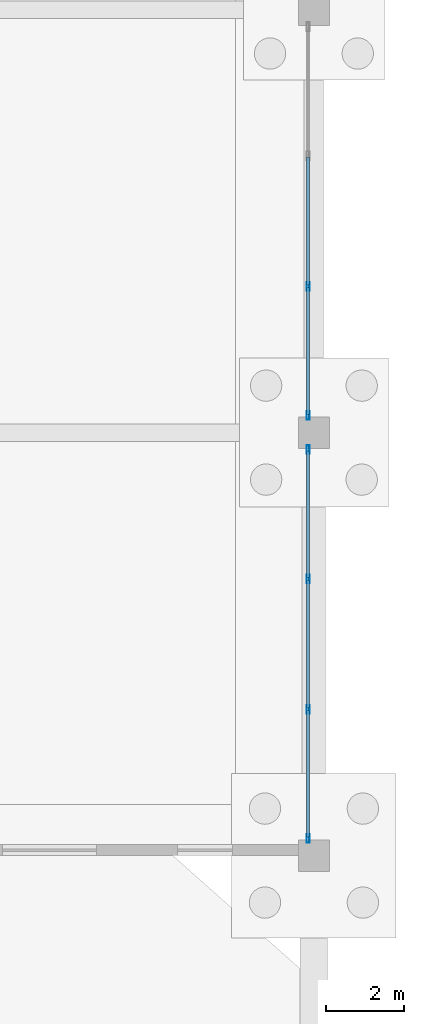
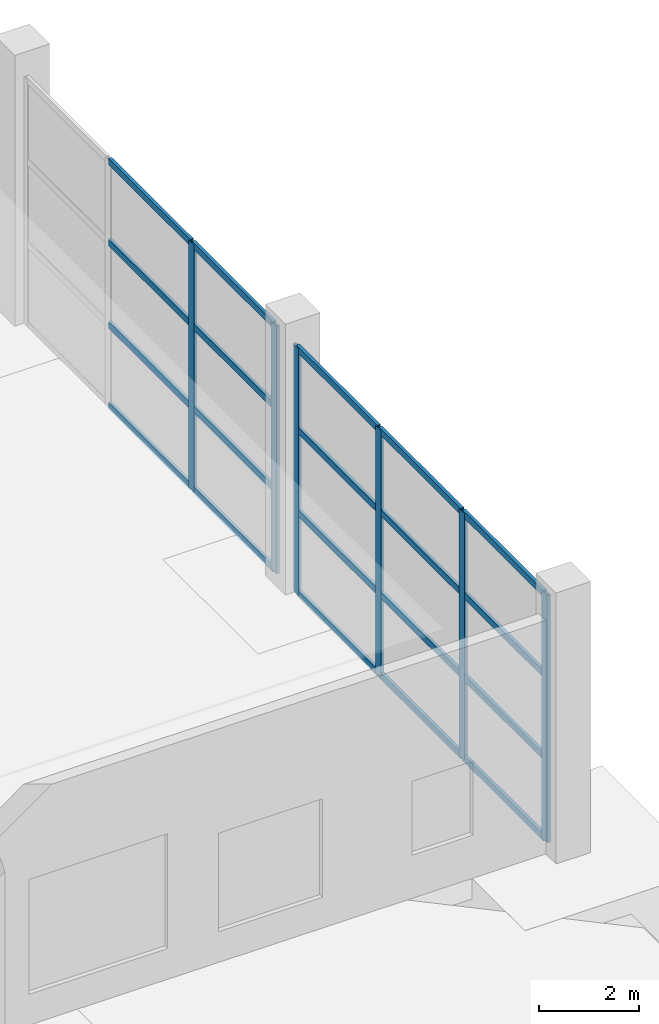
# One storey, part 70 of 115: 26 members, 2 elements without a shape of their own.
"""IFC4 building model written with IfcOpenShell, lengths in metres."""

from ifc_helpers import new_model, si_unit, direction, frame, origin, origin_2d, place, context, subcontext, project, spatial, hollow_rectangle, extrude, material, layer, layer_set, material_profile, profile_set, type_object, element, aggregate, save


model = new_model("IFC4")

# Units and contexts
model_context = context("Model", 3, precision=1e-05, world=origin(), true_north=direction((0.0, 1.0)))
body_context = subcontext(model_context, "Body", "Model", "MODEL_VIEW")
ifc_project = project(units=[si_unit("LENGTHUNIT", "METRE"), si_unit("AREAUNIT", "SQUARE_METRE"), si_unit("VOLUMEUNIT", "CUBIC_METRE"), si_unit("PLANEANGLEUNIT", "RADIAN"), si_unit("MASSUNIT", "GRAM", prefix="KILO")], contexts=[model_context])

# Site, building, storey
site_placement = place(None, origin())
site = spatial("IfcSite", under=ifc_project, at=site_placement, CompositionType="ELEMENT")
building_placement = place(site_placement, origin())
building = spatial("IfcBuilding", under=site, at=building_placement, Name="Tamarisk Ironworks Central Station", CompositionType="ELEMENT")
storey_placement = place(building_placement, origin())
storey = spatial("IfcBuildingStorey", under=building, at=storey_placement, Name="L00", CompositionType="ELEMENT", Elevation=0.0)

# Curtain wall, members
ifc_material = material(Name="Anodized aluminium alloy 6063-T6", Category="aluminium")
ifc_layer = layer(ifc_material, 0.179931640625)
ifc_layer_set = layer_set([ifc_layer], Name="Anodized aluminium alloy 6063-T6")
curtain_wall_type = type_object("IfcCurtainWallType", Name="CW-15", PredefinedType="USERDEFINED", material=ifc_layer_set)
curtain_wall_1_placement = place(storey_placement, origin())
curtain_wall_1 = element("IfcCurtainWall", 1, at=curtain_wall_1_placement, inside=storey, type_object=curtain_wall_type, Name="Operations L00 east facade curtain wall 079", ObjectType="GLAZED CURTAIN WALL", PredefinedType="USERDEFINED")
ifc_material_profile_1 = material_profile(ifc_material, hollow_rectangle(XDim=0.074951171875, YDim=0.219970703125, WallThickness=0.00390625, at=origin_2d()), Name="ALUM 220x75")
ifc_profile_set_1 = profile_set([ifc_material_profile_1], Name="Anodized aluminium alloy 6063-T6")
member_type_1 = type_object("IfcMemberType", Name="CWM-01", PredefinedType="MULLION", material=ifc_profile_set_1)
member_1_placement = place(storey_placement, frame((179.85009765625, 79.635498046875, 0.0), z_axis=(0.0, 0.0, 1.0), x_axis=(-1.0, 0.0, 0.0)))
member_1 = element("IfcMember", 2, at=member_1_placement, type_object=member_type_1, Name="CW15 mullion 1", PredefinedType="MULLION", context=body_context, shape_type="SweptSolid", body=[
    extrude(hollow_rectangle(XDim=0.074951171875, YDim=0.219970703125, WallThickness=0.00390625, at=origin_2d()), origin(), (0.0, 0.0, 1.0), 6.02001953125),
])
member_2_placement = place(storey_placement, frame((179.85009765625, 82.9326171875, 0.0), z_axis=(0.0, 0.0, 1.0), x_axis=(-1.0, 0.0, 0.0)))
member_2 = element("IfcMember", 3, at=member_2_placement, type_object=member_type_1, Name="CW15 mullion 2", PredefinedType="MULLION", context=body_context, shape_type="SweptSolid", body=[
    extrude(hollow_rectangle(XDim=0.074951171875, YDim=0.219970703125, WallThickness=0.00390625, at=origin_2d()), origin(), (0.0, 0.0, 1.0), 6.02001953125),
])
member_3_placement = place(storey_placement, frame((179.85009765625, 86.267333984375, 0.0), z_axis=(0.0, 0.0, 1.0), x_axis=(-1.0, 0.0, 0.0)))
member_3 = element("IfcMember", 4, at=member_3_placement, type_object=member_type_1, Name="CW15 mullion 3", PredefinedType="MULLION", context=body_context, shape_type="SweptSolid", body=[
    extrude(hollow_rectangle(XDim=0.074951171875, YDim=0.219970703125, WallThickness=0.00390625, at=origin_2d()), origin(), (0.0, 0.0, 1.0), 6.02001953125),
])
member_4_placement = place(storey_placement, frame((179.85009765625, 89.564453125, 0.0), z_axis=(0.0, 0.0, 1.0), x_axis=(-1.0, 0.0, 0.0)))
member_4 = element("IfcMember", 5, at=member_4_placement, type_object=member_type_1, Name="CW15 mullion 4", PredefinedType="MULLION", context=body_context, shape_type="SweptSolid", body=[
    extrude(hollow_rectangle(XDim=0.074951171875, YDim=0.219970703125, WallThickness=0.00390625, at=origin_2d()), origin(), (0.0, 0.0, 1.0), 6.02001953125),
])

curtain_wall_2_placement = place(storey_placement, origin())
curtain_wall_2 = element("IfcCurtainWall", 6, at=curtain_wall_2_placement, inside=storey, type_object=curtain_wall_type, Name="Operations L00 east facade curtain wall 090", ObjectType="GLAZED CURTAIN WALL", PredefinedType="USERDEFINED")
member_5_placement = place(storey_placement, frame((179.85009765625, 90.435546875, 0.0), z_axis=(0.0, 0.0, 1.0), x_axis=(-1.0, 0.0, 0.0)))
member_5 = element("IfcMember", 7, at=member_5_placement, type_object=member_type_1, Name="CW15 mullion 1", PredefinedType="MULLION", context=body_context, shape_type="SweptSolid", body=[
    extrude(hollow_rectangle(XDim=0.074951171875, YDim=0.219970703125, WallThickness=0.00390625, at=origin_2d()), origin(), (0.0, 0.0, 1.0), 6.02001953125),
])
member_6_placement = place(storey_placement, frame((179.85009765625, 93.732666015625, 0.0), z_axis=(0.0, 0.0, 1.0), x_axis=(-1.0, 0.0, 0.0)))
member_6 = element("IfcMember", 8, at=member_6_placement, type_object=member_type_1, Name="CW15 mullion 2", PredefinedType="MULLION", context=body_context, shape_type="SweptSolid", body=[
    extrude(hollow_rectangle(XDim=0.074951171875, YDim=0.219970703125, WallThickness=0.00390625, at=origin_2d()), origin(), (0.0, 0.0, 1.0), 6.02001953125),
])

# Member
ifc_material_profile_2 = material_profile(ifc_material, hollow_rectangle(XDim=0.074951171875, YDim=0.159912109375, WallThickness=0.00390625, at=origin_2d()), Name="ALUM 160x75")
ifc_profile_set_2 = profile_set([ifc_material_profile_2], Name="Anodized aluminium alloy 6063-T6")
member_type_2 = type_object("IfcMemberType", Name="CWT-01", PredefinedType="USERDEFINED", material=ifc_profile_set_2)
member_7_placement = place(storey_placement, frame((179.85009765625, 79.6689453125, 0.03759765625), z_axis=(0.0, 1.0, 0.0), x_axis=(-1.0, 0.0, 0.0)))
member_7 = element("IfcMember", 9, at=member_7_placement, type_object=member_type_2, Name="CW15 transom 1.1", ObjectType="TRANSOM", PredefinedType="USERDEFINED", context=body_context, shape_type="SweptSolid", body=[
    extrude(hollow_rectangle(XDim=0.074951171875, YDim=0.159912109375, WallThickness=0.00390625, at=origin_2d()), origin(), (0.0, 0.0, 1.0), 3.230224609375),
])

member_8_placement = place(storey_placement, frame((179.85009765625, 79.6689453125, 2.006591796875), z_axis=(0.0, 1.0, 0.0), x_axis=(-1.0, 0.0, 0.0)))
member_8 = element("IfcMember", 10, at=member_8_placement, type_object=member_type_2, Name="CW15 transom 1.2", ObjectType="TRANSOM", PredefinedType="USERDEFINED", context=body_context, shape_type="SweptSolid", body=[
    extrude(hollow_rectangle(XDim=0.074951171875, YDim=0.159912109375, WallThickness=0.00390625, at=origin_2d()), origin(), (0.0, 0.0, 1.0), 3.230224609375),
])

member_9_placement = place(storey_placement, frame((179.85009765625, 79.6689453125, 4.01318359375), z_axis=(0.0, 1.0, 0.0), x_axis=(-1.0, 0.0, 0.0)))
member_9 = element("IfcMember", 11, at=member_9_placement, type_object=member_type_2, Name="CW15 transom 1.3", ObjectType="TRANSOM", PredefinedType="USERDEFINED", context=body_context, shape_type="SweptSolid", body=[
    extrude(hollow_rectangle(XDim=0.074951171875, YDim=0.159912109375, WallThickness=0.00390625, at=origin_2d()), origin(), (0.0, 0.0, 1.0), 3.230224609375),
])

member_10_placement = place(storey_placement, frame((179.85009765625, 79.6689453125, 5.982421875), z_axis=(0.0, 1.0, 0.0), x_axis=(-1.0, 0.0, 0.0)))
member_10 = element("IfcMember", 12, at=member_10_placement, type_object=member_type_2, Name="CW15 transom 1.4", ObjectType="TRANSOM", PredefinedType="USERDEFINED", context=body_context, shape_type="SweptSolid", body=[
    extrude(hollow_rectangle(XDim=0.074951171875, YDim=0.159912109375, WallThickness=0.00390625, at=origin_2d()), origin(), (0.0, 0.0, 1.0), 3.230224609375),
])

member_11_placement = place(storey_placement, frame((179.85009765625, 82.966064453125, 0.03759765625), z_axis=(0.0, 1.0, 0.0), x_axis=(-1.0, 0.0, 0.0)))
member_11 = element("IfcMember", 13, at=member_11_placement, type_object=member_type_2, Name="CW15 transom 2.1", ObjectType="TRANSOM", PredefinedType="USERDEFINED", context=body_context, shape_type="SweptSolid", body=[
    extrude(hollow_rectangle(XDim=0.074951171875, YDim=0.159912109375, WallThickness=0.00390625, at=origin_2d()), origin(), (0.0, 0.0, 1.0), 3.267822265625),
])

member_12_placement = place(storey_placement, frame((179.85009765625, 82.966064453125, 2.006591796875), z_axis=(0.0, 1.0, 0.0), x_axis=(-1.0, 0.0, 0.0)))
member_12 = element("IfcMember", 14, at=member_12_placement, type_object=member_type_2, Name="CW15 transom 2.2", ObjectType="TRANSOM", PredefinedType="USERDEFINED", context=body_context, shape_type="SweptSolid", body=[
    extrude(hollow_rectangle(XDim=0.074951171875, YDim=0.159912109375, WallThickness=0.00390625, at=origin_2d()), origin(), (0.0, 0.0, 1.0), 3.267822265625),
])

member_13_placement = place(storey_placement, frame((179.85009765625, 82.966064453125, 4.01318359375), z_axis=(0.0, 1.0, 0.0), x_axis=(-1.0, 0.0, 0.0)))
member_13 = element("IfcMember", 15, at=member_13_placement, type_object=member_type_2, Name="CW15 transom 2.3", ObjectType="TRANSOM", PredefinedType="USERDEFINED", context=body_context, shape_type="SweptSolid", body=[
    extrude(hollow_rectangle(XDim=0.074951171875, YDim=0.159912109375, WallThickness=0.00390625, at=origin_2d()), origin(), (0.0, 0.0, 1.0), 3.267822265625),
])

member_14_placement = place(storey_placement, frame((179.85009765625, 82.966064453125, 5.982421875), z_axis=(0.0, 1.0, 0.0), x_axis=(-1.0, 0.0, 0.0)))
member_14 = element("IfcMember", 16, at=member_14_placement, type_object=member_type_2, Name="CW15 transom 2.4", ObjectType="TRANSOM", PredefinedType="USERDEFINED", context=body_context, shape_type="SweptSolid", body=[
    extrude(hollow_rectangle(XDim=0.074951171875, YDim=0.159912109375, WallThickness=0.00390625, at=origin_2d()), origin(), (0.0, 0.0, 1.0), 3.267822265625),
])

member_15_placement = place(storey_placement, frame((179.85009765625, 86.30078125, 0.03759765625), z_axis=(0.0, 1.0, 0.0), x_axis=(-1.0, 0.0, 0.0)))
member_15 = element("IfcMember", 17, at=member_15_placement, type_object=member_type_2, Name="CW15 transom 3.1", ObjectType="TRANSOM", PredefinedType="USERDEFINED", context=body_context, shape_type="SweptSolid", body=[
    extrude(hollow_rectangle(XDim=0.074951171875, YDim=0.159912109375, WallThickness=0.00390625, at=origin_2d()), origin(), (0.0, 0.0, 1.0), 3.230224609375),
])

member_16_placement = place(storey_placement, frame((179.85009765625, 86.30078125, 2.006591796875), z_axis=(0.0, 1.0, 0.0), x_axis=(-1.0, 0.0, 0.0)))
member_16 = element("IfcMember", 18, at=member_16_placement, type_object=member_type_2, Name="CW15 transom 3.2", ObjectType="TRANSOM", PredefinedType="USERDEFINED", context=body_context, shape_type="SweptSolid", body=[
    extrude(hollow_rectangle(XDim=0.074951171875, YDim=0.159912109375, WallThickness=0.00390625, at=origin_2d()), origin(), (0.0, 0.0, 1.0), 3.230224609375),
])

member_17_placement = place(storey_placement, frame((179.85009765625, 86.30078125, 4.01318359375), z_axis=(0.0, 1.0, 0.0), x_axis=(-1.0, 0.0, 0.0)))
member_17 = element("IfcMember", 19, at=member_17_placement, type_object=member_type_2, Name="CW15 transom 3.3", ObjectType="TRANSOM", PredefinedType="USERDEFINED", context=body_context, shape_type="SweptSolid", body=[
    extrude(hollow_rectangle(XDim=0.074951171875, YDim=0.159912109375, WallThickness=0.00390625, at=origin_2d()), origin(), (0.0, 0.0, 1.0), 3.230224609375),
])

member_18_placement = place(storey_placement, frame((179.85009765625, 86.30078125, 5.982421875), z_axis=(0.0, 1.0, 0.0), x_axis=(-1.0, 0.0, 0.0)))
member_18 = element("IfcMember", 20, at=member_18_placement, type_object=member_type_2, Name="CW15 transom 3.4", ObjectType="TRANSOM", PredefinedType="USERDEFINED", context=body_context, shape_type="SweptSolid", body=[
    extrude(hollow_rectangle(XDim=0.074951171875, YDim=0.159912109375, WallThickness=0.00390625, at=origin_2d()), origin(), (0.0, 0.0, 1.0), 3.230224609375),
])

aggregate(curtain_wall_1, [member_1, member_2, member_3, member_4, member_7, member_8, member_9, member_10, member_11, member_12, member_13, member_14, member_15, member_16, member_17, member_18])

member_19_placement = place(storey_placement, frame((179.85009765625, 90.468994140625, 0.03759765625), z_axis=(0.0, 1.0, 0.0), x_axis=(-1.0, 0.0, 0.0)))
member_19 = element("IfcMember", 21, at=member_19_placement, type_object=member_type_2, Name="CW15 transom 1.1", ObjectType="TRANSOM", PredefinedType="USERDEFINED", context=body_context, shape_type="SweptSolid", body=[
    extrude(hollow_rectangle(XDim=0.074951171875, YDim=0.159912109375, WallThickness=0.00390625, at=origin_2d()), origin(), (0.0, 0.0, 1.0), 3.230224609375),
])

member_20_placement = place(storey_placement, frame((179.85009765625, 90.468994140625, 2.006591796875), z_axis=(0.0, 1.0, 0.0), x_axis=(-1.0, 0.0, 0.0)))
member_20 = element("IfcMember", 22, at=member_20_placement, type_object=member_type_2, Name="CW15 transom 1.2", ObjectType="TRANSOM", PredefinedType="USERDEFINED", context=body_context, shape_type="SweptSolid", body=[
    extrude(hollow_rectangle(XDim=0.074951171875, YDim=0.159912109375, WallThickness=0.00390625, at=origin_2d()), origin(), (0.0, 0.0, 1.0), 3.230224609375),
])

member_21_placement = place(storey_placement, frame((179.85009765625, 90.468994140625, 4.01318359375), z_axis=(0.0, 1.0, 0.0), x_axis=(-1.0, 0.0, 0.0)))
member_21 = element("IfcMember", 23, at=member_21_placement, type_object=member_type_2, Name="CW15 transom 1.3", ObjectType="TRANSOM", PredefinedType="USERDEFINED", context=body_context, shape_type="SweptSolid", body=[
    extrude(hollow_rectangle(XDim=0.074951171875, YDim=0.159912109375, WallThickness=0.00390625, at=origin_2d()), origin(), (0.0, 0.0, 1.0), 3.230224609375),
])

member_22_placement = place(storey_placement, frame((179.85009765625, 90.468994140625, 5.982421875), z_axis=(0.0, 1.0, 0.0), x_axis=(-1.0, 0.0, 0.0)))
member_22 = element("IfcMember", 24, at=member_22_placement, type_object=member_type_2, Name="CW15 transom 1.4", ObjectType="TRANSOM", PredefinedType="USERDEFINED", context=body_context, shape_type="SweptSolid", body=[
    extrude(hollow_rectangle(XDim=0.074951171875, YDim=0.159912109375, WallThickness=0.00390625, at=origin_2d()), origin(), (0.0, 0.0, 1.0), 3.230224609375),
])

member_23_placement = place(storey_placement, frame((179.85009765625, 93.76611328125, 0.03759765625), z_axis=(0.0, 1.0, 0.0), x_axis=(-1.0, 0.0, 0.0)))
member_23 = element("IfcMember", 25, at=member_23_placement, type_object=member_type_2, Name="CW15 transom 2.1", ObjectType="TRANSOM", PredefinedType="USERDEFINED", context=body_context, shape_type="SweptSolid", body=[
    extrude(hollow_rectangle(XDim=0.074951171875, YDim=0.159912109375, WallThickness=0.00390625, at=origin_2d()), origin(), (0.0, 0.0, 1.0), 3.267822265625),
])

member_24_placement = place(storey_placement, frame((179.85009765625, 93.76611328125, 2.006591796875), z_axis=(0.0, 1.0, 0.0), x_axis=(-1.0, 0.0, 0.0)))
member_24 = element("IfcMember", 26, at=member_24_placement, type_object=member_type_2, Name="CW15 transom 2.2", ObjectType="TRANSOM", PredefinedType="USERDEFINED", context=body_context, shape_type="SweptSolid", body=[
    extrude(hollow_rectangle(XDim=0.074951171875, YDim=0.159912109375, WallThickness=0.00390625, at=origin_2d()), origin(), (0.0, 0.0, 1.0), 3.267822265625),
])

member_25_placement = place(storey_placement, frame((179.85009765625, 93.76611328125, 4.01318359375), z_axis=(0.0, 1.0, 0.0), x_axis=(-1.0, 0.0, 0.0)))
member_25 = element("IfcMember", 27, at=member_25_placement, type_object=member_type_2, Name="CW15 transom 2.3", ObjectType="TRANSOM", PredefinedType="USERDEFINED", context=body_context, shape_type="SweptSolid", body=[
    extrude(hollow_rectangle(XDim=0.074951171875, YDim=0.159912109375, WallThickness=0.00390625, at=origin_2d()), origin(), (0.0, 0.0, 1.0), 3.267822265625),
])

member_26_placement = place(storey_placement, frame((179.85009765625, 93.76611328125, 5.982421875), z_axis=(0.0, 1.0, 0.0), x_axis=(-1.0, 0.0, 0.0)))
member_26 = element("IfcMember", 28, at=member_26_placement, type_object=member_type_2, Name="CW15 transom 2.4", ObjectType="TRANSOM", PredefinedType="USERDEFINED", context=body_context, shape_type="SweptSolid", body=[
    extrude(hollow_rectangle(XDim=0.074951171875, YDim=0.159912109375, WallThickness=0.00390625, at=origin_2d()), origin(), (0.0, 0.0, 1.0), 3.267822265625),
])

aggregate(curtain_wall_2, [member_5, member_6, member_19, member_20, member_21, member_22, member_23, member_24, member_25, member_26])

save(model, "model.ifc")
